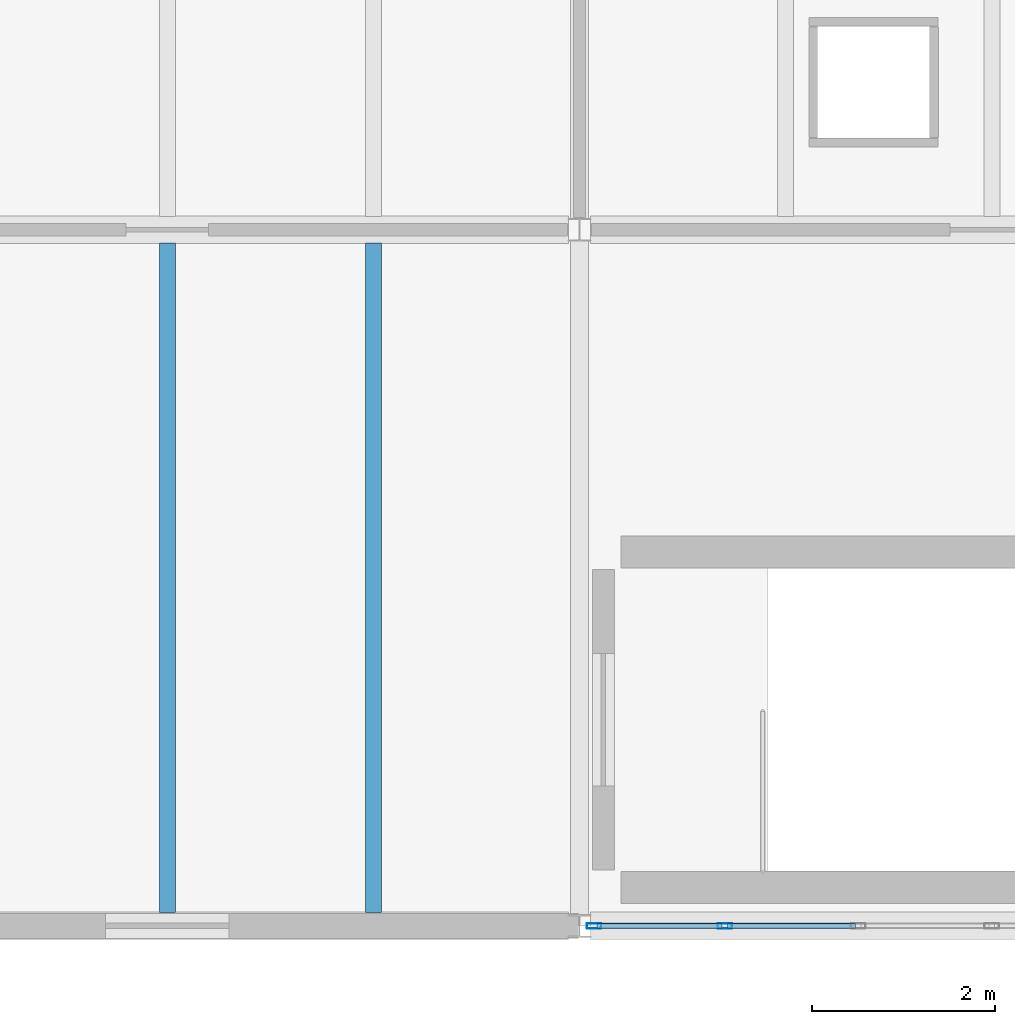
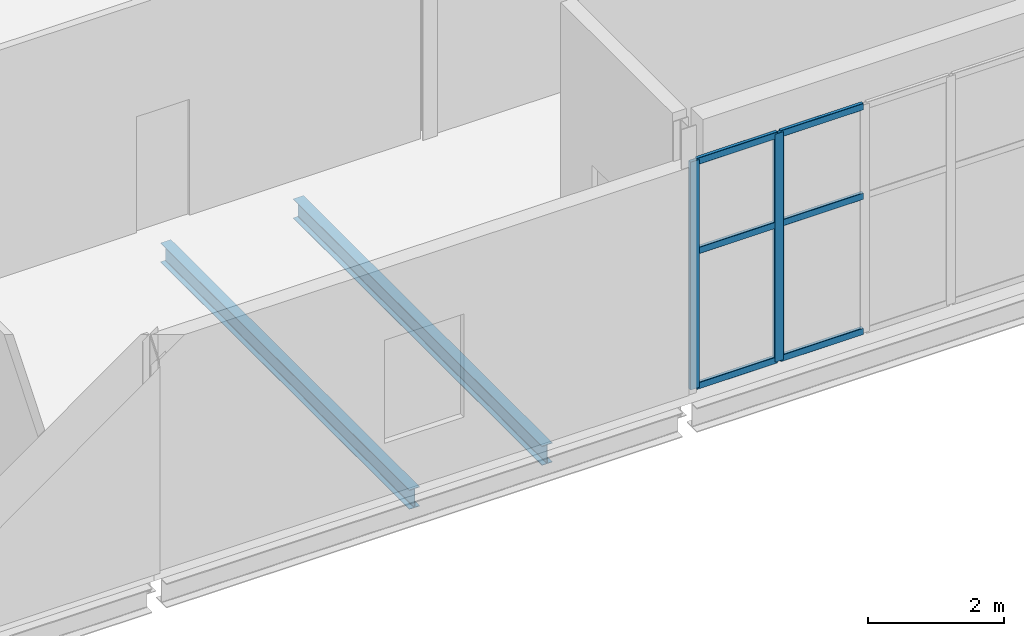
# One storey, part 5 of 14: 8 members, 2 beams, 1 element without a shape of its own.
"""IFC4 building model written with IfcOpenShell, lengths in metres."""

import ifcopenshell
import ifcopenshell.guid

model = None  # the IFC model being written
_history = None  # IfcOwnerHistory: only IFC2X3 demands one
_inside = {}  # id of a spatial element -> (the spatial element, [elements in it])
_under = {}  # id of a project, library or spatial element -> (it, [spatial elements below it])
_declared = {}  # id of a project -> (the project, [libraries it declares])
_typed = {}  # id of a type object -> (the type object, [elements of that type])
_made_of = {}  # id of a material, layer set ... -> (it, [elements and type objects made of it])


def new_model(schema):
    """Start an empty IFC model of exactly this schema.

    Asked for "IFC4X3", IfcOpenShell would pick the latest addendum, in which some entities
    have other attributes; the version numbers below select the first issue.
    IFC2X3 requires an IfcOwnerHistory on every rooted entity: one is made here for all.
    """
    global model, _history
    if schema == "IFC4X3":
        model = ifcopenshell.file(schema_version=(4, 3, 0, 0))
    else:
        model = ifcopenshell.file(schema=schema)
    _inside.clear()
    _under.clear()
    _declared.clear()
    _typed.clear()
    _made_of.clear()
    _history = None
    if model.schema == "IFC2X3":
        org = make("IfcOrganization", Name="unknown")
        user = make(
            "IfcPersonAndOrganization",
            ThePerson=make("IfcPerson", FamilyName="unknown"),
            TheOrganization=org,
        )
        app = make(
            "IfcApplication",
            ApplicationDeveloper=org,
            Version="unknown",
            ApplicationFullName="unknown",
            ApplicationIdentifier="unknown",
        )
        _history = make(
            "IfcOwnerHistory",
            OwningUser=user,
            OwningApplication=app,
            ChangeAction="ADDED",
            CreationDate=0,
        )
    return model


def make(cls, **values):
    """One entity of the class cls with the attributes given. An attribute that is None is left unset."""
    return model.create_entity(
        cls, **{name: value for name, value in values.items() if value is not None}
    )


def rooted(cls, **values):
    """An entity with a GlobalId (a new one), such as an element, a storey or a relation."""
    return make(cls, GlobalId=ifcopenshell.guid.new(), OwnerHistory=_history, **values)


def si_unit(unit_type, name, prefix=None):
    """IfcSIUnit, for example si_unit("LENGTHUNIT", "METRE", prefix="MILLI")."""
    return make("IfcSIUnit", UnitType=unit_type, Prefix=prefix, Name=name)


def assignment(units):
    """IfcUnitAssignment: the units of a project."""
    return None if units is None else make("IfcUnitAssignment", Units=units)


def point(xyz):
    """IfcCartesianPoint."""
    return None if xyz is None else make("IfcCartesianPoint", Coordinates=xyz)


def direction(xyz):
    """IfcDirection."""
    return None if xyz is None else make("IfcDirection", DirectionRatios=xyz)


def frame(location, z_axis=None, x_axis=None):
    """IfcAxis2Placement3D, a coordinate frame: its origin and axes. An axis left out is left unset."""
    return make(
        "IfcAxis2Placement3D",
        Location=point(location),
        Axis=direction(z_axis),
        RefDirection=direction(x_axis),
    )


def frame_2d(location, x_axis=None):
    """IfcAxis2Placement2D, a coordinate frame in the plane: its origin and x axis."""
    return make(
        "IfcAxis2Placement2D", Location=point(location), RefDirection=direction(x_axis)
    )


def origin():
    """The frame at (0, 0, 0) with its axes left unset."""
    return frame((0.0, 0.0, 0.0))


def origin_2d():
    """The frame at (0, 0) in the plane with its x axis left unset."""
    return frame_2d((0.0, 0.0))


def place(relative_to, where):
    """IfcLocalPlacement: puts the frame where relative to a parent placement (None: the world)."""
    return make(
        "IfcLocalPlacement", PlacementRelTo=relative_to, RelativePlacement=where
    )


def context(
    kind, dimensions, precision=None, world=None, true_north=None, identifier=None
):
    """IfcGeometricRepresentationContext, for example the 3D "Model" context."""
    return make(
        "IfcGeometricRepresentationContext",
        ContextIdentifier=identifier,
        ContextType=kind,
        CoordinateSpaceDimension=dimensions,
        Precision=precision,
        WorldCoordinateSystem=world,
        TrueNorth=true_north,
    )


def subcontext(parent, identifier, kind, view, scale=None):
    """IfcGeometricRepresentationSubContext, for example "Body" below "Model"."""
    return make(
        "IfcGeometricRepresentationSubContext",
        ContextIdentifier=identifier,
        ContextType=kind,
        ParentContext=parent,
        TargetScale=scale,
        TargetView=view,
    )


def project(units=None, contexts=None):
    """IfcProject with its units and contexts."""
    return rooted(
        "IfcProject",
        Name="project",
        RepresentationContexts=contexts,
        UnitsInContext=assignment(units),
    )


def spatial(cls, under=None, at=None, **own):
    """A site, building, storey or space (cls), placed at a placement, below another one or the project."""
    s = rooted(cls, ObjectPlacement=at, **own)
    if under is not None:
        _under.setdefault(under.id(), (under, []))[1].append(s)
    return s


def profile(cls, at=None, kind="AREA", **sizes):
    """A parametric profile (cls). Its sizes go by their IFC names, for example OverallWidth=200.0."""
    return make(cls, ProfileType=kind, Position=at, **sizes)


def hollow_rectangle(**sizes):
    """IfcRectangleHollowProfileDef."""
    return profile("IfcRectangleHollowProfileDef", **sizes)


def i_section(**sizes):
    """IfcIShapeProfileDef."""
    return profile("IfcIShapeProfileDef", **sizes)


def extrude(swept, where, along, depth):
    """IfcExtrudedAreaSolid: the profile swept, set in the frame where, extruded along a direction by depth."""
    return make(
        "IfcExtrudedAreaSolid",
        SweptArea=swept,
        Position=where,
        ExtrudedDirection=direction(along),
        Depth=depth,
    )


def shape(context_of_items, identifier, shape_type, items):
    """IfcShapeRepresentation: the items that make up one representation, for example the "Body"."""
    return make(
        "IfcShapeRepresentation",
        ContextOfItems=context_of_items,
        RepresentationIdentifier=identifier,
        RepresentationType=shape_type,
        Items=items,
    )


def material(Name=None, Category=None):
    """IfcMaterial."""
    return make("IfcMaterial", Name=Name, Category=Category)


def material_profile(
    of_material, cross_section, Name=None, Category=None, Priority=None
):
    """IfcMaterialProfile: a cross section and its material."""
    return make(
        "IfcMaterialProfile",
        Name=Name,
        Material=of_material,
        Profile=cross_section,
        Priority=Priority,
        Category=Category,
    )


def profile_set(profiles, Name=None, composite=None):
    """IfcMaterialProfileSet."""
    return make(
        "IfcMaterialProfileSet",
        Name=Name,
        MaterialProfiles=profiles,
        CompositeProfile=composite,
    )


def made_of(thing, what):
    """Note that an element or type object is made of a material, layer set ...; save() writes the relation."""
    if what is not None:
        _made_of.setdefault(what.id(), (what, []))[1].append(thing)
    return thing


def type_object(cls, material=None, **own):
    """A type object (cls), such as IfcWallType, which elements share."""
    return made_of(rooted(cls, **own), material)


def element(
    cls,
    number,
    at=None,
    inside=None,
    cuts=None,
    type_object=None,
    material=None,
    context=None,
    identifier="Body",
    shape_type=None,
    held_by="IfcProductDefinitionShape",
    body=None,
    shapes=None,
    **own,
):
    """One element of the class cls, such as IfcWall. Its Tag is "e" and its number.

    at: its placement. inside: the storey or other place that contains it. cuts: it is an
    opening in that element (IfcRelVoidsElement). A single representation is given by context,
    identifier, shape_type and body (its items); several are given by shapes. held_by: the class
    of the entity that holds the representations. save() writes the other relations.
    """
    e = rooted(cls, Tag="e%d" % number, ObjectPlacement=at, **own)
    if body is not None:
        shapes = [shape(context, identifier, shape_type, body)]
    if shapes is not None:
        e.Representation = make(held_by, Representations=shapes)
    if inside is not None:
        _inside.setdefault(inside.id(), (inside, []))[1].append(e)
    if cuts is not None:
        rooted(
            "IfcRelVoidsElement", RelatingBuildingElement=cuts, RelatedOpeningElement=e
        )
    if type_object is not None:
        _typed.setdefault(type_object.id(), (type_object, []))[1].append(e)
    return made_of(e, material)


def aggregate(whole, parts):
    """IfcRelAggregates: a whole, such as a stair, and the parts it consists of."""
    return rooted("IfcRelAggregates", RelatingObject=whole, RelatedObjects=parts)


def save(model, path):
    """Write the relations noted so far, then the file.

    IfcRelAggregates (storeys below a building ...), IfcRelContainedInSpatialStructure (elements
    in a storey), IfcRelDefinesByType, IfcRelAssociatesMaterial and IfcRelDeclares: one each for
    every whole, place, type object, material and project.
    """
    for whole, parts in _under.values():
        aggregate(whole, parts)
    for where, things in _inside.values():
        rooted(
            "IfcRelContainedInSpatialStructure",
            RelatedElements=things,
            RelatingStructure=where,
        )
    for kind, things in _typed.values():
        rooted("IfcRelDefinesByType", RelatedObjects=things, RelatingType=kind)
    for what, things in _made_of.values():
        rooted("IfcRelAssociatesMaterial", RelatedObjects=things, RelatingMaterial=what)
    for by, libraries in _declared.values():
        rooted("IfcRelDeclares", RelatingContext=by, RelatedDefinitions=libraries)
    model.write(path)


model = new_model("IFC4")

# Units and contexts
model_context = context("Model", 3, precision=1e-05, world=origin(), true_north=direction((0.0, 1.0)))
body_context = subcontext(model_context, "Body", "Model", "MODEL_VIEW")
ifc_project = project(units=[si_unit("LENGTHUNIT", "METRE"), si_unit("AREAUNIT", "SQUARE_METRE"), si_unit("VOLUMEUNIT", "CUBIC_METRE"), si_unit("PLANEANGLEUNIT", "RADIAN"), si_unit("MASSUNIT", "GRAM", prefix="KILO")], contexts=[model_context])

# Site, building, storey
site_placement = place(None, origin())
site = spatial("IfcSite", under=ifc_project, at=site_placement, CompositionType="ELEMENT")
building_placement = place(site_placement, origin())
building = spatial("IfcBuilding", under=site, at=building_placement, Name="Shengluoqiao Park Theatre", CompositionType="ELEMENT")
storey_placement = place(building_placement, frame((0.0, 0.0, 23.800048828125)))
storey = spatial("IfcBuildingStorey", under=building, at=storey_placement, Name="L05", CompositionType="ELEMENT", Elevation=23.800048828125)

# Curtain wall, members
ifc_material_1 = material(Name="Aluminium 6063-T6", Category="aluminium")
curtain_wall_type = type_object("IfcCurtainWallType", Name="ENV-CW-CLERE", PredefinedType="NOTDEFINED", material=ifc_material_1)
curtain_wall_placement = place(storey_placement, origin())
curtain_wall = element("IfcCurtainWall", 1, at=curtain_wall_placement, inside=storey, type_object=curtain_wall_type, Name="L05 Curtain Wall CWX-L05-0202", PredefinedType="NOTDEFINED")
ifc_material_profile_1 = material_profile(ifc_material_1, hollow_rectangle(XDim=0.06005859375, YDim=0.159912109375, WallThickness=0.00390625, InnerFilletRadius=0.00390625, OuterFilletRadius=0.008056640625, at=origin_2d()), Name="ALU MULLION 160x60x4")
ifc_profile_set_1 = profile_set([ifc_material_profile_1], Name="Aluminium 6063-T6")
member_type_1 = type_object("IfcMemberType", Name="ENV-MUL-160", PredefinedType="MULLION", material=ifc_profile_set_1)
member_1_placement = place(storey_placement, frame((139.55908203125, 84.0, 0.0), z_axis=(0.0, 0.0, 1.0), x_axis=(0.0, 1.0, 0.0)))
member_1 = element("IfcMember", 2, at=member_1_placement, type_object=member_type_1, Name="CW-06 mullion 1", PredefinedType="MULLION", context=body_context, shape_type="SweptSolid", body=[
    extrude(hollow_rectangle(XDim=0.06005859375, YDim=0.159912109375, WallThickness=0.00390625, InnerFilletRadius=0.00390625, OuterFilletRadius=0.008056640625, at=origin_2d()), origin(), (0.0, 0.0, 1.0), 4.087890625),
])
member_2_placement = place(storey_placement, frame((140.986083984375, 84.0, 0.0), z_axis=(0.0, 0.0, 1.0), x_axis=(0.0, 1.0, 0.0)))
member_2 = element("IfcMember", 3, at=member_2_placement, type_object=member_type_1, Name="CW-06 mullion 2", PredefinedType="MULLION", context=body_context, shape_type="SweptSolid", body=[
    extrude(hollow_rectangle(XDim=0.06005859375, YDim=0.159912109375, WallThickness=0.00390625, InnerFilletRadius=0.00390625, OuterFilletRadius=0.008056640625, at=origin_2d()), origin(), (0.0, 0.0, 1.0), 4.087890625),
])
ifc_material_profile_2 = material_profile(ifc_material_1, hollow_rectangle(XDim=0.06005859375, YDim=0.1201171875, WallThickness=0.00390625, InnerFilletRadius=0.00390625, OuterFilletRadius=0.008056640625, at=origin_2d()), Name="ALU TRANSOM 120x60x4")
ifc_profile_set_2 = profile_set([ifc_material_profile_2], Name="Aluminium 6063-T6")
member_type_2 = type_object("IfcMemberType", Name="ENV-TRN-120", PredefinedType="USERDEFINED", material=ifc_profile_set_2)
member_3_placement = place(storey_placement, frame((139.589111328125, 84.0, 0.030029296875), z_axis=(1.0, 0.0, 0.0), x_axis=(0.0, 1.0, 0.0)))
member_3 = element("IfcMember", 4, at=member_3_placement, type_object=member_type_2, Name="CW-06 transom 1.1", ObjectType="TRANSOM", PredefinedType="USERDEFINED", context=body_context, shape_type="SweptSolid", body=[
    extrude(hollow_rectangle(XDim=0.06005859375, YDim=0.1201171875, WallThickness=0.00390625, InnerFilletRadius=0.00390625, OuterFilletRadius=0.008056640625, at=origin_2d()), origin(), (0.0, 0.0, 1.0), 1.366943359375),
])
member_4_placement = place(storey_placement, frame((139.589111328125, 84.0, 2.452880859375), z_axis=(1.0, 0.0, 0.0), x_axis=(0.0, 1.0, 0.0)))
member_4 = element("IfcMember", 5, at=member_4_placement, type_object=member_type_2, Name="CW-06 transom 1.2", ObjectType="TRANSOM", PredefinedType="USERDEFINED", context=body_context, shape_type="SweptSolid", body=[
    extrude(hollow_rectangle(XDim=0.06005859375, YDim=0.1201171875, WallThickness=0.00390625, InnerFilletRadius=0.00390625, OuterFilletRadius=0.008056640625, at=origin_2d()), origin(), (0.0, 0.0, 1.0), 1.366943359375),
])
member_5_placement = place(storey_placement, frame((139.589111328125, 84.0, 4.057861328125), z_axis=(1.0, 0.0, 0.0), x_axis=(0.0, 1.0, 0.0)))
member_5 = element("IfcMember", 6, at=member_5_placement, type_object=member_type_2, Name="CW-06 transom 1.3", ObjectType="TRANSOM", PredefinedType="USERDEFINED", context=body_context, shape_type="SweptSolid", body=[
    extrude(hollow_rectangle(XDim=0.06005859375, YDim=0.1201171875, WallThickness=0.00390625, InnerFilletRadius=0.00390625, OuterFilletRadius=0.008056640625, at=origin_2d()), origin(), (0.0, 0.0, 1.0), 1.366943359375),
])
member_6_placement = place(storey_placement, frame((141.01611328125, 84.0, 0.030029296875), z_axis=(1.0, 0.0, 0.0), x_axis=(0.0, 1.0, 0.0)))
member_6 = element("IfcMember", 7, at=member_6_placement, type_object=member_type_2, Name="CW-06 transom 2.1", ObjectType="TRANSOM", PredefinedType="USERDEFINED", context=body_context, shape_type="SweptSolid", body=[
    extrude(hollow_rectangle(XDim=0.06005859375, YDim=0.1201171875, WallThickness=0.00390625, InnerFilletRadius=0.00390625, OuterFilletRadius=0.008056640625, at=origin_2d()), origin(), (0.0, 0.0, 1.0), 1.39697265625),
])
member_7_placement = place(storey_placement, frame((141.01611328125, 84.0, 2.452880859375), z_axis=(1.0, 0.0, 0.0), x_axis=(0.0, 1.0, 0.0)))
member_7 = element("IfcMember", 8, at=member_7_placement, type_object=member_type_2, Name="CW-06 transom 2.2", ObjectType="TRANSOM", PredefinedType="USERDEFINED", context=body_context, shape_type="SweptSolid", body=[
    extrude(hollow_rectangle(XDim=0.06005859375, YDim=0.1201171875, WallThickness=0.00390625, InnerFilletRadius=0.00390625, OuterFilletRadius=0.008056640625, at=origin_2d()), origin(), (0.0, 0.0, 1.0), 1.39697265625),
])
member_8_placement = place(storey_placement, frame((141.01611328125, 84.0, 4.057861328125), z_axis=(1.0, 0.0, 0.0), x_axis=(0.0, 1.0, 0.0)))
member_8 = element("IfcMember", 9, at=member_8_placement, type_object=member_type_2, Name="CW-06 transom 2.3", ObjectType="TRANSOM", PredefinedType="USERDEFINED", context=body_context, shape_type="SweptSolid", body=[
    extrude(hollow_rectangle(XDim=0.06005859375, YDim=0.1201171875, WallThickness=0.00390625, InnerFilletRadius=0.00390625, OuterFilletRadius=0.008056640625, at=origin_2d()), origin(), (0.0, 0.0, 1.0), 1.39697265625),
])
aggregate(curtain_wall, [member_1, member_2, member_3, member_4, member_5, member_6, member_7, member_8])

# Beams
ifc_material_2 = material(Name="Steel Q355", Category="steel")
ifc_material_profile_3 = material_profile(ifc_material_2, i_section(OverallWidth=0.175048828125, OverallDepth=0.35009765625, WebThickness=0.007080078125, FlangeThickness=0.010986328125, FilletRadius=0.013916015625, at=origin_2d()), Name="HN 350x175x7x11")
ifc_profile_set_3 = profile_set([ifc_material_profile_3], Name="Steel Q355")
beam_type = type_object("IfcBeamType", Name="STR-BM-J-HN350", PredefinedType="JOIST", material=ifc_profile_set_3)
for number, where, z_axis, x_axis, name in (
    (10, (134.89990234375, 84.14501953125, -0.43505859375), (0.0, 1.0, 0.0), (-1.0, 0.0, 0.0), "L05 Composite Joist 01702"),
    (11, (137.14990234375, 84.14501953125, -0.43505859375), (0.0, 1.0, 0.0), (-1.0, 0.0, 0.0), "L05 Composite Joist 01703"),
):
    element("IfcBeam", number, at=place(storey_placement, frame(where, z_axis=z_axis, x_axis=x_axis)), inside=storey, type_object=beam_type, Name=name, PredefinedType="JOIST", context=body_context, shape_type="SweptSolid", body=[
        extrude(i_section(OverallWidth=0.175048828125, OverallDepth=0.35009765625, WebThickness=0.007080078125, FlangeThickness=0.010986328125, FilletRadius=0.013916015625, at=origin_2d()), origin(), (0.0, 0.0, 1.0), 7.31005859375),
    ])

save(model, "model.ifc")
